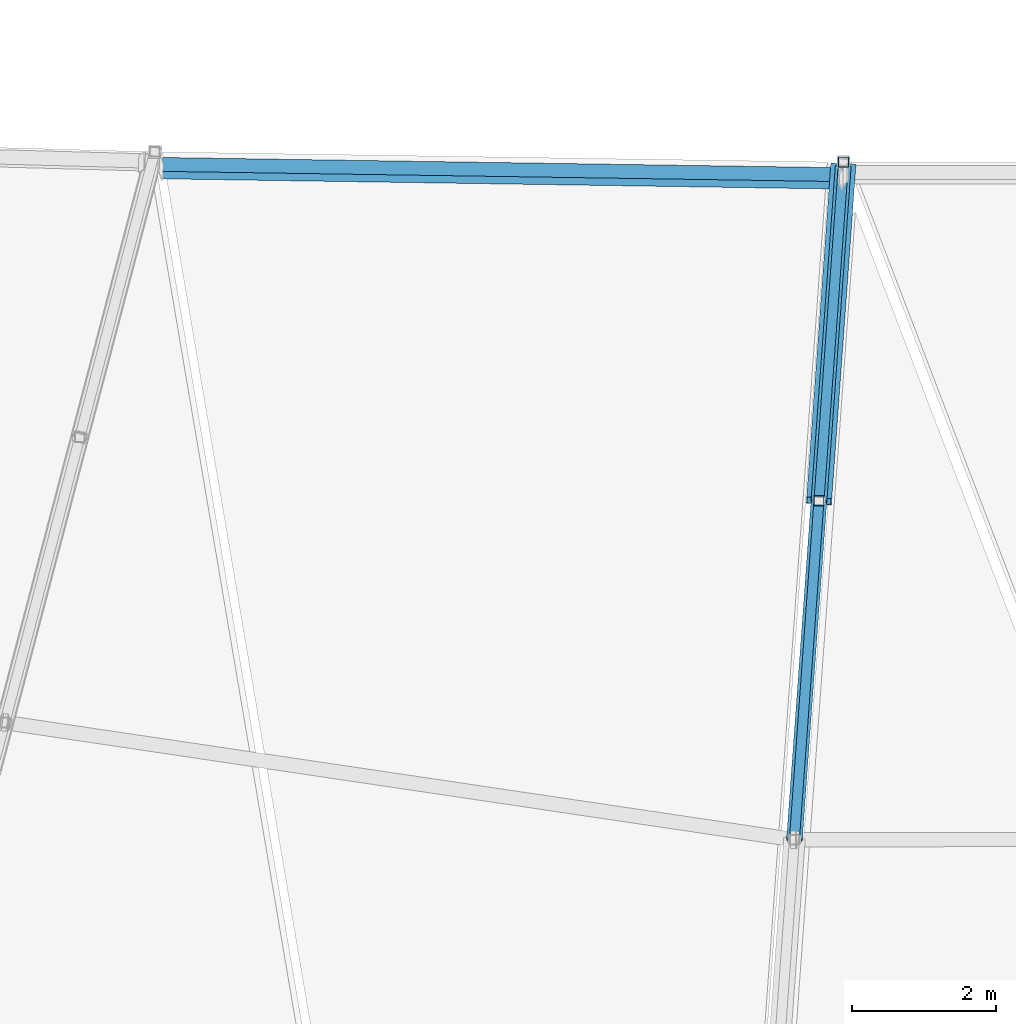
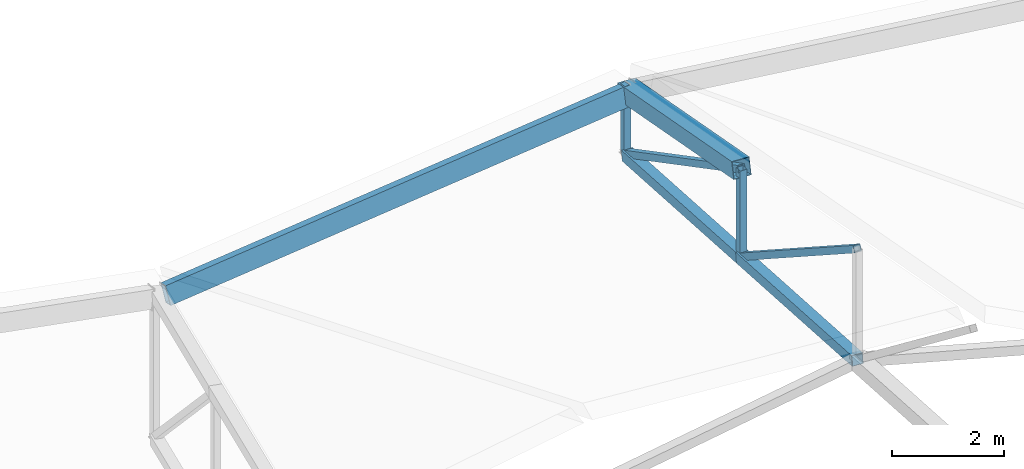
# One storey, part 45 of 344: 7 members, 1 beam.
"""IFC4 building model written with IfcOpenShell, lengths in metres."""

from ifc_helpers import new_model, si_unit, direction, frame, origin, origin_2d, place, context, subcontext, project, spatial, hollow_rectangle, extrude, material, material_profile, profile_set, type_object, element, save


model = new_model("IFC4")

# Units and contexts
model_context = context("Model", 3, precision=1e-05, world=origin(), true_north=direction((0.0, 1.0)))
body_context = subcontext(model_context, "Body", "Model", "MODEL_VIEW")
ifc_project = project(units=[si_unit("LENGTHUNIT", "METRE"), si_unit("AREAUNIT", "SQUARE_METRE"), si_unit("VOLUMEUNIT", "CUBIC_METRE"), si_unit("PLANEANGLEUNIT", "RADIAN"), si_unit("MASSUNIT", "GRAM", prefix="KILO")], contexts=[model_context])

# Site, building, storey
site_placement = place(None, origin())
site = spatial("IfcSite", under=ifc_project, at=site_placement, CompositionType="ELEMENT")
building_placement = place(site_placement, origin())
building = spatial("IfcBuilding", under=site, at=building_placement, Name="Meseta Stadium", CompositionType="ELEMENT")
storey_placement = place(building_placement, frame((0.0, 0.0, 24.0)))
storey = spatial("IfcBuildingStorey", under=building, at=storey_placement, Name="L04", CompositionType="ELEMENT", Elevation=24.0)

# Beam
ifc_material_1 = material(Name="Steel S355", Category="steel")
ifc_material_profile_1 = material_profile(ifc_material_1, hollow_rectangle(XDim=0.199951171875, YDim=0.39990234375, WallThickness=0.01611328125, at=origin_2d()), Name="RHS 400x200x16")
ifc_profile_set_1 = profile_set([ifc_material_profile_1], Name="Steel S355")
beam_type = type_object("IfcBeamType", Name="RHS 400x200x16 tip ring beam", PredefinedType="BEAM", material=ifc_profile_set_1)
beam_placement = place(storey_placement, frame((-14.299560546875, -66.064208984375, 5.015869140625), z_axis=(0.99259730693, -0.014960039035, 0.12052710694), x_axis=(0.045737689986, 0.965368918063, -0.256848040195)))
element("IfcBeam", 1, at=beam_placement, inside=storey, type_object=beam_type, Name="TIP RING BEAM 46", PredefinedType="BEAM", context=body_context, shape_type="SweptSolid", body=[
    extrude(hollow_rectangle(XDim=0.199951171875, YDim=0.39990234375, WallThickness=0.01611328125, at=origin_2d()), origin(), (0.0, 0.0, 1.0), 9.51416015625),
])

# Members
ifc_material_2 = material(Name="Steel S355", Category="steel")
ifc_material_profile_2 = material_profile(ifc_material_2, hollow_rectangle(XDim=0.139892578125, YDim=0.139892578125, WallThickness=0.0048828125, at=origin_2d()), Name="SHS 140x140x5")
ifc_profile_set_2 = profile_set([ifc_material_profile_2], Name="Steel S355")
member_type_1 = type_object("IfcMemberType", Name="SHS 140x140x5 diagonal", PredefinedType="BRACE", material=ifc_profile_set_2)
member_1_placement = place(storey_placement, frame((-4.80810546875, -65.981201171875, 4.71435546875), z_axis=(-0.063143470809, -0.870703359974, 0.487738209519), x_axis=(0.997380746332, -0.072330124054, 0.0)))
element("IfcMember", 2, at=member_1_placement, inside=storey, type_object=member_type_1, Name="ROOF TRUSS RT-46 diagonal", PredefinedType="BRACE", context=body_context, shape_type="SweptSolid", body=[
    extrude(hollow_rectangle(XDim=0.139892578125, YDim=0.139892578125, WallThickness=0.0048828125, at=origin_2d()), origin(), (0.0, 0.0, 1.0), 5.4130859375),
])
member_2_placement = place(storey_placement, frame((-5.14990234375, -70.6943359375, 5.447021484375), z_axis=(-0.060201380436, -0.830091034239, 0.554368711842), x_axis=(0.997380476022, -0.072333851348, 0.0)))
element("IfcMember", 3, at=member_2_placement, inside=storey, type_object=member_type_1, Name="ROOF TRUSS RT-46 diagonal", PredefinedType="BRACE", context=body_context, shape_type="SweptSolid", body=[
    extrude(hollow_rectangle(XDim=0.139892578125, YDim=0.139892578125, WallThickness=0.0048828125, at=origin_2d()), origin(), (0.0, 0.0, 1.0), 5.677490234375),
])
ifc_material_3 = material(Name="Steel S355", Category="steel")
ifc_material_profile_3 = material_profile(ifc_material_3, hollow_rectangle(XDim=0.139892578125, YDim=0.139892578125, WallThickness=0.0048828125, at=origin_2d()), Name="SHS 140x140x5")
ifc_profile_set_3 = profile_set([ifc_material_profile_3], Name="Steel S355")
member_type_2 = type_object("IfcMemberType", Name="SHS 140x140x5 post", PredefinedType="POST", material=ifc_profile_set_3)
member_3_placement = place(storey_placement, frame((-5.14990234375, -70.6943359375, 5.447021484375), z_axis=(0.0, 0.0, 1.0), x_axis=(1.0, 0.0, 0.0)))
element("IfcMember", 4, at=member_3_placement, inside=storey, type_object=member_type_2, Name="ROOF TRUSS RT-46 post", PredefinedType="POST", context=body_context, shape_type="SweptSolid", body=[
    extrude(hollow_rectangle(XDim=0.139892578125, YDim=0.139892578125, WallThickness=0.0048828125, at=origin_2d()), origin(), (0.0, 0.0, 1.0), 1.907470703125),
])
ifc_material_4 = material(Name="Steel S355", Category="steel")
ifc_material_profile_4 = material_profile(ifc_material_4, hollow_rectangle(XDim=0.139892578125, YDim=0.139892578125, WallThickness=0.0048828125, at=origin_2d()), Name="SHS 140x140x5")
ifc_profile_set_4 = profile_set([ifc_material_profile_4], Name="Steel S355")
member_type_3 = type_object("IfcMemberType", Name="SHS 140x140x5 rim post", PredefinedType="POST", material=ifc_profile_set_4)
member_4_placement = place(storey_placement, frame((-4.80810546875, -65.981201171875, 4.71435546875), z_axis=(0.0, 0.0, 1.0), x_axis=(1.0, 0.0, 0.0)))
element("IfcMember", 5, at=member_4_placement, inside=storey, type_object=member_type_3, Name="ROOF TRUSS RT-46 post", PredefinedType="POST", context=body_context, shape_type="SweptSolid", body=[
    extrude(hollow_rectangle(XDim=0.139892578125, YDim=0.139892578125, WallThickness=0.0048828125, at=origin_2d()), origin(), (0.0, 0.0, 1.0), 1.400146484375),
])
ifc_material_5 = material(Name="Steel S355", Category="steel")
ifc_material_profile_5 = material_profile(ifc_material_5, hollow_rectangle(XDim=0.219970703125, YDim=0.219970703125, WallThickness=0.008056640625, at=origin_2d()), Name="SHS 220x220x8")
ifc_profile_set_5 = profile_set([ifc_material_profile_5], Name="Steel S355")
member_type_4 = type_object("IfcMemberType", Name="SHS 220x220x8 bottom chord", PredefinedType="CHORD", material=ifc_profile_set_5)
member_5_placement = place(storey_placement, frame((-4.81298828125, -66.05029296875, 4.72509765625), z_axis=(-0.071503096201, -0.985602823147, 0.153213518455), x_axis=(0.997378767005, -0.072357412389, 0.0)))
element("IfcMember", 6, at=member_5_placement, inside=storey, type_object=member_type_4, Name="ROOF TRUSS RT-46 bottom chord", PredefinedType="CHORD", context=body_context, shape_type="SweptSolid", body=[
    extrude(hollow_rectangle(XDim=0.219970703125, YDim=0.219970703125, WallThickness=0.008056640625, at=origin_2d()), origin(), (0.0, 0.0, 1.0), 4.7119140625),
])
member_6_placement = place(storey_placement, frame((-5.14990234375, -70.6943359375, 5.447021484375), z_axis=(-0.071480278618, -0.985610927465, 0.153172025611), x_axis=(0.997380476022, -0.072333851348, 0.0)))
element("IfcMember", 7, at=member_6_placement, inside=storey, type_object=member_type_4, Name="ROOF TRUSS RT-46 bottom chord", PredefinedType="CHORD", context=body_context, shape_type="SweptSolid", body=[
    extrude(hollow_rectangle(XDim=0.219970703125, YDim=0.219970703125, WallThickness=0.008056640625, at=origin_2d()), origin(), (0.0, 0.0, 1.0), 4.78173828125),
])
ifc_material_6 = material(Name="Steel S355", Category="steel")
ifc_material_profile_6 = material_profile(ifc_material_6, hollow_rectangle(XDim=0.35009765625, YDim=0.35009765625, WallThickness=0.010009765625, at=origin_2d()), Name="SHS 350x350x10")
ifc_profile_set_6 = profile_set([ifc_material_profile_6], Name="Steel S355")
member_type_5 = type_object("IfcMemberType", Name="SHS 350x350x10 top chord", PredefinedType="CHORD", material=ifc_profile_set_6)
member_7_placement = place(storey_placement, frame((-4.81298828125, -66.048828125, 6.13232421875), z_axis=(-0.069966149738, -0.964721664643, 0.253804743179), x_axis=(0.997380413335, -0.072334715703, 0.0)))
element("IfcMember", 8, at=member_7_placement, inside=storey, type_object=member_type_5, Name="ROOF TRUSS RT-46 top chord", PredefinedType="CHORD", context=body_context, shape_type="SweptSolid", body=[
    extrude(hollow_rectangle(XDim=0.35009765625, YDim=0.35009765625, WallThickness=0.010009765625, at=origin_2d()), origin(), (0.0, 0.0, 1.0), 4.8154296875),
])

save(model, "model.ifc")
